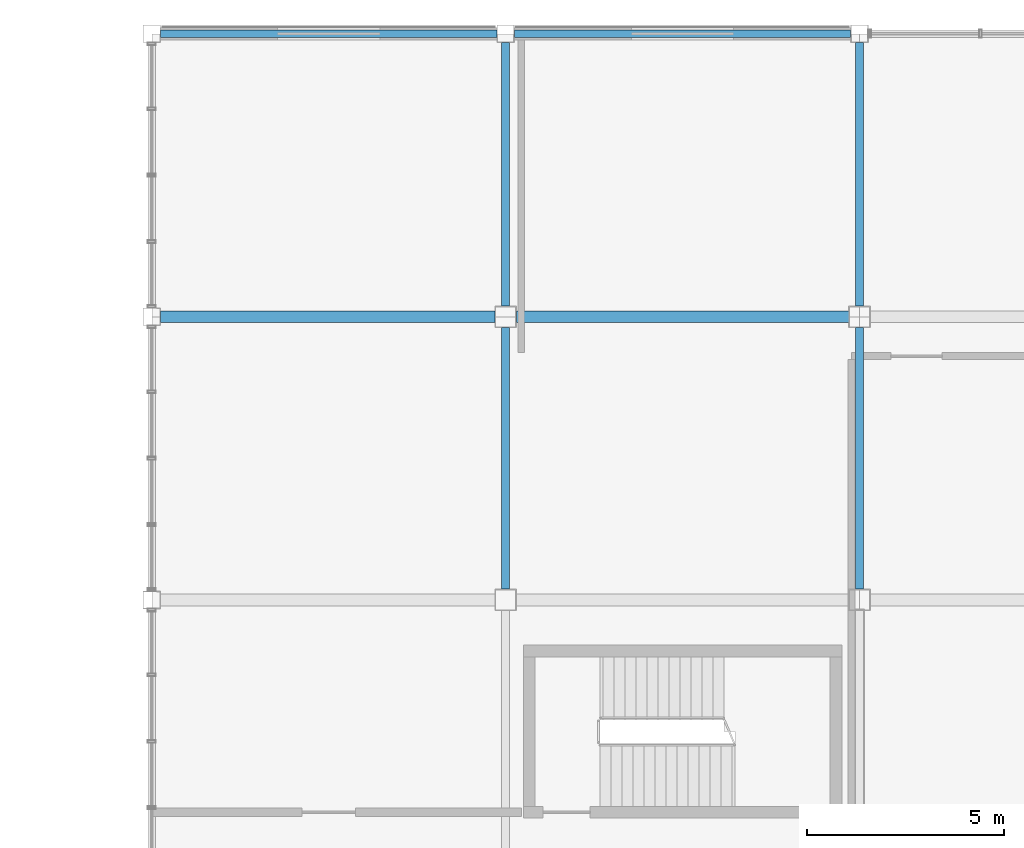
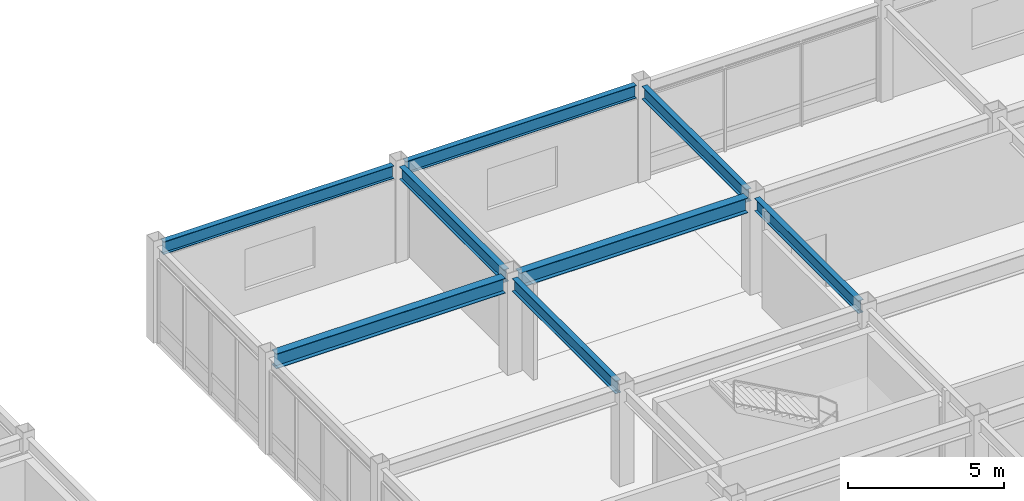
# One storey, part 66 of 122: 8 beams.
"""IFC4 building model written with IfcOpenShell, lengths in metres."""

from ifc_helpers import new_model, si_unit, direction, frame, origin, origin_2d, place, context, subcontext, project, spatial, i_section, extrude, material, material_profile, profile_set, type_object, element, save


model = new_model("IFC4")

# Units and contexts
model_context = context("Model", 3, precision=1e-05, world=origin(), true_north=direction((0.0, 1.0)))
body_context = subcontext(model_context, "Body", "Model", "MODEL_VIEW")
ifc_project = project(units=[si_unit("LENGTHUNIT", "METRE"), si_unit("AREAUNIT", "SQUARE_METRE"), si_unit("VOLUMEUNIT", "CUBIC_METRE"), si_unit("PLANEANGLEUNIT", "RADIAN"), si_unit("MASSUNIT", "GRAM", prefix="KILO")], contexts=[model_context])

# Site, building, storey
site_placement = place(None, origin())
site = spatial("IfcSite", under=ifc_project, at=site_placement, CompositionType="ELEMENT")
building_placement = place(site_placement, origin())
building = spatial("IfcBuilding", under=site, at=building_placement, Name="Kazanami Central Library", CompositionType="ELEMENT")
storey_placement = place(building_placement, frame((0.0, 0.0, 4.800048828125)))
storey = spatial("IfcBuildingStorey", under=building, at=storey_placement, Name="L02", CompositionType="ELEMENT", Elevation=4.800048828125)

# Beams
ifc_material = material(Name="Steel SN490B (325 MPa)", Category="steel")
ifc_material_profile_1 = material_profile(ifc_material, i_section(OverallWidth=0.300048828125, OverallDepth=0.587890625, WebThickness=0.011962890625, FlangeThickness=0.02001953125, at=origin_2d()), Name="H-588x300x12x20")
ifc_profile_set_1 = profile_set([ifc_material_profile_1], Name="Steel SN490B (325 MPa)")
beam_type_1 = type_object("IfcBeamType", Name="BM-G-X2", PredefinedType="BEAM", material=ifc_profile_set_1)
beam_1_placement = place(storey_placement, frame((45.222900390625, 86.39990234375, 3.4609375), z_axis=(1.0, 0.0, 0.0), x_axis=(0.0, 1.0, 0.0)))
element("IfcBeam", 1, at=beam_1_placement, inside=storey, type_object=beam_type_1, Name="Girder G-X2 L02 N/6-7", PredefinedType="BEAM", context=body_context, shape_type="SweptSolid", body=[
    extrude(i_section(OverallWidth=0.300048828125, OverallDepth=0.587890625, WebThickness=0.011962890625, FlangeThickness=0.02001953125, at=origin_2d()), origin(), (0.0, 0.0, 1.0), 8.504150390625),
])
beam_2_placement = place(storey_placement, frame((54.27294921875, 86.39990234375, 3.4609375), z_axis=(1.0, 0.0, 0.0), x_axis=(0.0, 1.0, 0.0)))
element("IfcBeam", 2, at=beam_2_placement, inside=storey, type_object=beam_type_1, Name="Girder G-X2 L02 N/7-8", PredefinedType="BEAM", context=body_context, shape_type="SweptSolid", body=[
    extrude(i_section(OverallWidth=0.300048828125, OverallDepth=0.587890625, WebThickness=0.011962890625, FlangeThickness=0.02001953125, at=origin_2d()), origin(), (0.0, 0.0, 1.0), 8.4541015625),
])
ifc_material_profile_2 = material_profile(ifc_material, i_section(OverallWidth=0.199951171875, OverallDepth=0.5, WebThickness=0.010009765625, FlangeThickness=0.01611328125, at=origin_2d()), Name="H-500x200x10x16")
ifc_profile_set_2 = profile_set([ifc_material_profile_2], Name="Steel SN490B (325 MPa)")
beam_type_2 = type_object("IfcBeamType", Name="BM-G-Y2", PredefinedType="BEAM", material=ifc_profile_set_2)
beam_3_placement = place(storey_placement, frame((54.0, 79.472900390625, 3.5048828125), z_axis=(0.0, 1.0, 0.0), x_axis=(-1.0, 0.0, 0.0)))
element("IfcBeam", 3, at=beam_3_placement, inside=storey, type_object=beam_type_2, Name="Girder G-Y2 L02 7/M-N", PredefinedType="BEAM", context=body_context, shape_type="SweptSolid", body=[
    extrude(i_section(OverallWidth=0.199951171875, OverallDepth=0.5, WebThickness=0.010009765625, FlangeThickness=0.01611328125, at=origin_2d()), origin(), (0.0, 0.0, 1.0), 6.654052734375),
])
beam_4_placement = place(storey_placement, frame((54.0, 86.673095703125, 3.5048828125), z_axis=(0.0, 1.0, 0.0), x_axis=(-1.0, 0.0, 0.0)))
element("IfcBeam", 4, at=beam_4_placement, inside=storey, type_object=beam_type_2, Name="Girder G-Y2 L02 7/N-O", PredefinedType="BEAM", context=body_context, shape_type="SweptSolid", body=[
    extrude(i_section(OverallWidth=0.199951171875, OverallDepth=0.5, WebThickness=0.010009765625, FlangeThickness=0.01611328125, at=origin_2d()), origin(), (0.0, 0.0, 1.0), 6.703857421875),
])
beam_5_placement = place(storey_placement, frame((63.0, 79.472900390625, 3.5048828125), z_axis=(0.0, 1.0, 0.0), x_axis=(-1.0, 0.0, 0.0)))
element("IfcBeam", 5, at=beam_5_placement, inside=storey, type_object=beam_type_2, Name="Girder G-Y2 L02 8/M-N", PredefinedType="BEAM", context=body_context, shape_type="SweptSolid", body=[
    extrude(i_section(OverallWidth=0.199951171875, OverallDepth=0.5, WebThickness=0.010009765625, FlangeThickness=0.01611328125, at=origin_2d()), origin(), (0.0, 0.0, 1.0), 6.654052734375),
])
beam_6_placement = place(storey_placement, frame((63.0, 86.673095703125, 3.5048828125), z_axis=(0.0, 1.0, 0.0), x_axis=(-1.0, 0.0, 0.0)))
element("IfcBeam", 6, at=beam_6_placement, inside=storey, type_object=beam_type_2, Name="Girder G-Y2 L02 8/N-O", PredefinedType="BEAM", context=body_context, shape_type="SweptSolid", body=[
    extrude(i_section(OverallWidth=0.199951171875, OverallDepth=0.5, WebThickness=0.010009765625, FlangeThickness=0.01611328125, at=origin_2d()), origin(), (0.0, 0.0, 1.0), 6.703857421875),
])
ifc_material_profile_3 = material_profile(ifc_material, i_section(OverallWidth=0.199951171875, OverallDepth=0.5, WebThickness=0.010009765625, FlangeThickness=0.01611328125, at=origin_2d()), Name="H-500x200x10x16")
ifc_profile_set_3 = profile_set([ifc_material_profile_3], Name="Steel SN490B (325 MPa)")
beam_type_3 = type_object("IfcBeamType", Name="BM-SP-1", PredefinedType="SPANDREL", material=ifc_profile_set_3)
for number, where, z_axis, x_axis, name in (
    (7, (45.222900390625, 93.60009765625, 3.5048828125), (1.0, 0.0, 0.0), (0.0, 1.0, 0.0), "Girder SP-1 L02 O/6-7"),
    (8, (54.222900390625, 93.60009765625, 3.5048828125), (1.0, 0.0, 0.0), (0.0, 1.0, 0.0), "Girder SP-1 L02 O/7-8"),
):
    element("IfcBeam", number, at=place(storey_placement, frame(where, z_axis=z_axis, x_axis=x_axis)), inside=storey, type_object=beam_type_3, Name=name, PredefinedType="SPANDREL", context=body_context, shape_type="SweptSolid", body=[
        extrude(i_section(OverallWidth=0.199951171875, OverallDepth=0.5, WebThickness=0.010009765625, FlangeThickness=0.01611328125, at=origin_2d()), origin(), (0.0, 0.0, 1.0), 8.55419921875),
    ])

save(model, "model.ifc")
